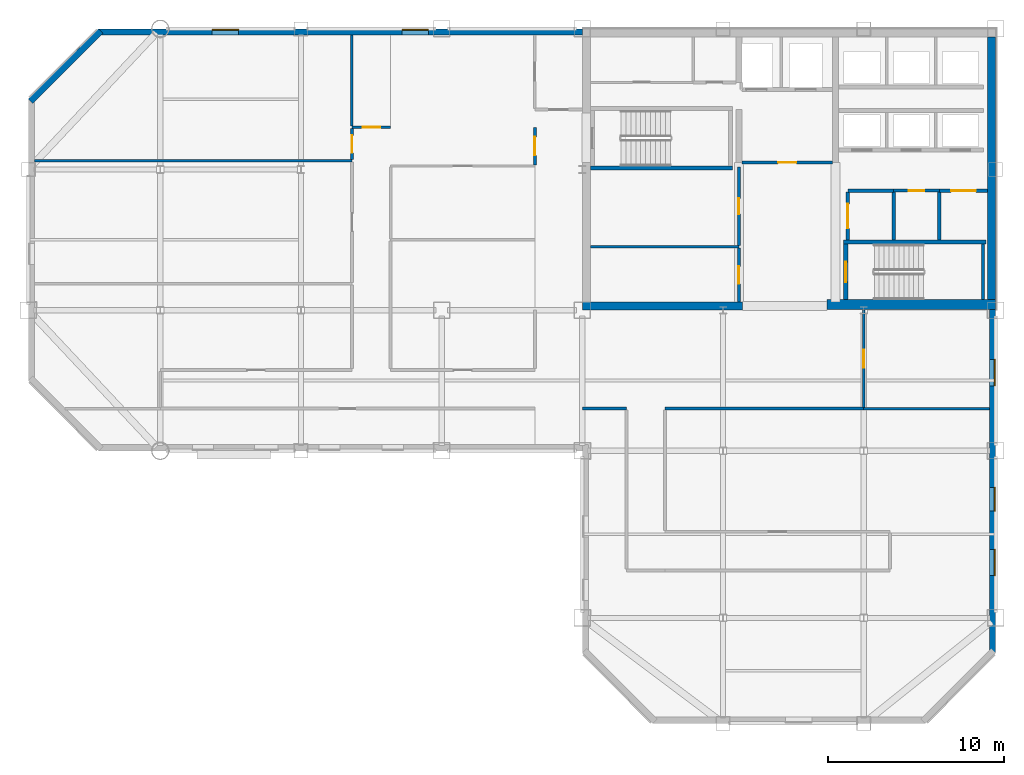
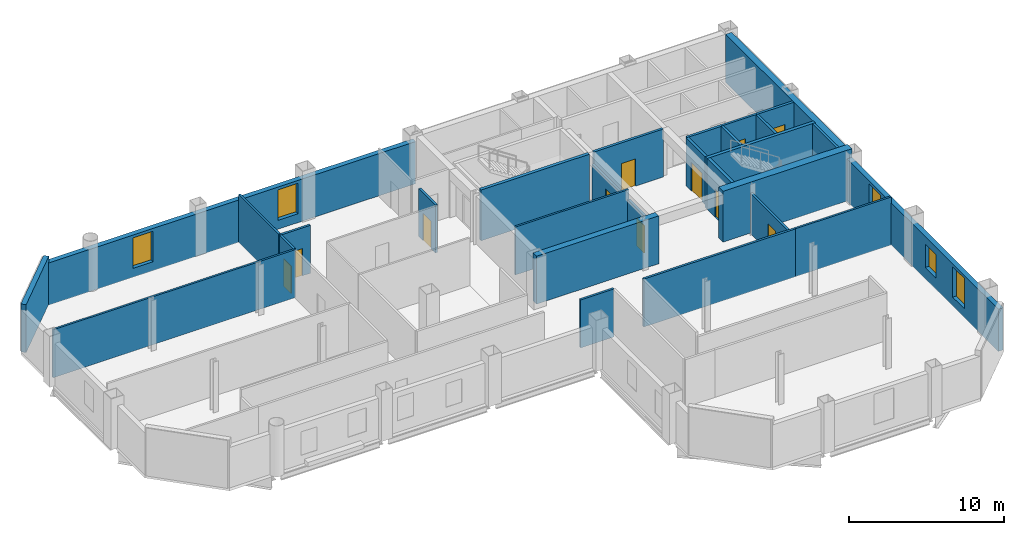
# One storey, part 5 of 10: 29 walls, 11 doors, 5 windows, 16 openings.
"""IFC4 building model written with IfcOpenShell, lengths in metres."""

from ifc_helpers import new_model, si_unit, direction, frame, frame_2d, origin, place, context, subcontext, project, spatial, rectangle, extrude, material, layer, layer_set, type_object, element, fill, save


model = new_model("IFC4")

# Units and contexts
model_context = context("Model", 3, precision=1e-05, world=origin(), true_north=direction((0.0, 1.0)))
body_context = subcontext(model_context, "Body", "Model", "MODEL_VIEW")
ifc_project = project(units=[si_unit("LENGTHUNIT", "METRE"), si_unit("AREAUNIT", "SQUARE_METRE"), si_unit("VOLUMEUNIT", "CUBIC_METRE"), si_unit("PLANEANGLEUNIT", "RADIAN"), si_unit("MASSUNIT", "GRAM", prefix="KILO")], contexts=[model_context])

# Site, building, storey
site_placement = place(None, origin())
site = spatial("IfcSite", under=ifc_project, at=site_placement, CompositionType="ELEMENT")
building_placement = place(site_placement, origin())
building = spatial("IfcBuilding", under=site, at=building_placement, Name="Qianrong Seaharbour Tower", CompositionType="ELEMENT")
storey_placement = place(building_placement, frame((0.0, 0.0, 257.800048828125)))
storey = spatial("IfcBuildingStorey", under=building, at=storey_placement, Name="L62", CompositionType="ELEMENT", Elevation=257.800048828125)

# Walls
ifc_material_1 = material(Name="Concrete C60/75", Category="concrete")
ifc_layer_1 = layer(ifc_material_1, 0.4599609375)
ifc_layer_set_1 = layer_set([ifc_layer_1], Name="Concrete C60/75")
wall_type_1 = type_object("IfcWallType", Name="WALL-CORE-460", PredefinedType="SHEAR", material=ifc_layer_set_1)
wall_1_placement = place(storey_placement, frame((63.77001953125, 36.320068359375, 0.0), z_axis=(0.0, 0.0, 1.0), x_axis=(0.0, 1.0, 0.0)))
element("IfcWall", 1, at=wall_1_placement, inside=storey, type_object=wall_type_1, Name="L62 East Core Shear Wall", PredefinedType="SHEAR", context=body_context, shape_type="SweptSolid", body=[
    extrude(rectangle(XDim=15.219970703125, YDim=0.4599609375, at=frame_2d((7.60986328125, 0.0))), origin(), (0.0, 0.0, 1.0), 3.77490234375),
])
wall_2_placement = place(storey_placement, frame((40.5, 36.22998046875, 0.0), z_axis=(0.0, 0.0, 1.0), x_axis=(1.0, 0.0, 0.0)))
element("IfcWall", 2, at=wall_2_placement, inside=storey, type_object=wall_type_1, Name="L62 South Core Shear Wall S1", PredefinedType="SHEAR", context=body_context, shape_type="SweptSolid", body=[
    extrude(rectangle(XDim=9.10009765625, YDim=0.4599609375, at=frame_2d((4.550048828125, 0.0))), origin(), (0.0, 0.0, 1.0), 3.77490234375),
])
ifc_material_2 = material(Name="Concrete C70/85", Category="concrete")
ifc_layer_2 = layer(ifc_material_2, 0.580078125)
ifc_layer_set_2 = layer_set([ifc_layer_2], Name="Concrete C70/85")
wall_type_2 = type_object("IfcWallType", Name="WALL-CORE-580", PredefinedType="SHEAR", material=ifc_layer_set_2)
wall_3_placement = place(storey_placement, frame((54.39990234375, 36.320068359375, 0.0), z_axis=(0.0, 0.0, 1.0), x_axis=(1.0, 0.0, 0.0)))
element("IfcWall", 3, at=wall_3_placement, inside=storey, type_object=wall_type_2, Name="L62 South Core Shear Wall S3", PredefinedType="SHEAR", context=body_context, shape_type="SweptSolid", body=[
    extrude(rectangle(XDim=9.60009765625, YDim=0.580078125, at=frame_2d((4.800048828125, 0.0))), origin(), (0.0, 0.0, 1.0), 4.0),
])

# Wall, opening, door
ifc_material_3 = material(Name="Fire-rated acoustic gypsum board partition")
ifc_layer_3 = layer(ifc_material_3, 0.1650390625)
ifc_layer_set_3 = layer_set([ifc_layer_3], Name="Fire-rated acoustic gypsum board partition")
wall_type_3 = type_object("IfcWallType", Name="WALL-CORR-PART-165", PredefinedType="PARTITIONING", material=ifc_layer_set_3)
wall_4_placement = place(storey_placement, frame((37.800048828125, 44.257080078125, 0.0), z_axis=(0.0, 0.0, 1.0), x_axis=(0.0, 1.0, 0.0)))
wall_4 = element("IfcWall", 4, at=wall_4_placement, inside=storey, type_object=wall_type_3, Name="L62 Interior Partition Wall 002", PredefinedType="PARTITIONING", context=body_context, shape_type="SweptSolid", body=[
    extrude(rectangle(XDim=2.142822265625, YDim=0.1650390625, at=frame_2d((1.0712890625, 0.0))), origin(), (0.0, 0.0, 1.0), 3.77490234375),
])
opening_1_placement = place(wall_4_placement, frame((0.54638671875, 0.0, 0.0)))
opening_1 = element("IfcOpeningElement", 5, at=opening_1_placement, cuts=wall_4, Name="Opening DC-01", PredefinedType="OPENING", context=body_context, shape_type="SweptSolid", body=[
    extrude(rectangle(XDim=1.050048828125, YDim=2.14990234375, at=frame_2d((0.52490234375, 1.074951171875))), frame((0.0, 0.092529296875, 0.0), z_axis=(0.0, -1.0, 0.0), x_axis=(1.0, 0.0, 0.0)), (0.0, 0.0, 1.0), 0.18505859375),
])
ifc_material_4 = material(Name="Acoustic timber and galvanized steel fire door assembly", Category="steel")
door_type_1 = type_object("IfcDoorType", Name="DOOR-CORR-FD60-1050x2150", OperationType="NOTDEFINED", PredefinedType="DOOR", material=ifc_material_4)
door_1_placement = place(opening_1_placement, origin())
door_1 = element("IfcDoor", 6, at=door_1_placement, inside=storey, type_object=door_type_1, Name="L62 Smokeproof Stair Vestibule ST-1 Door", OperationType="SINGLE_SWING_LEFT", OverallHeight=2.14990234375, OverallWidth=1.050048828125, PredefinedType="DOOR", context=body_context, shape_type="SweptSolid", body=[
    extrude(rectangle(XDim=1.050048828125, YDim=2.14990234375, at=frame_2d((0.52490234375, 1.074951171875))), frame((0.0, 0.02490234375, 0.0), z_axis=(0.0, -1.0, 0.0), x_axis=(1.0, 0.0, 0.0)), (0.0, 0.0, 1.0), 0.050048828125),
])
fill(opening_1, door_1)

wall_5_placement = place(storey_placement, frame((49.39990234375, 36.4599609375, 0.0), z_axis=(0.0, 0.0, 1.0), x_axis=(0.0, 1.0, 0.0)))
wall_5 = element("IfcWall", 7, at=wall_5_placement, inside=storey, type_object=wall_type_3, Name="L62 Interior Partition Wall 007", PredefinedType="PARTITIONING", context=body_context, shape_type="SweptSolid", body=[
    extrude(rectangle(XDim=3.075439453125, YDim=0.1650390625, at=frame_2d((1.53759765625, 0.0))), origin(), (0.0, 0.0, 1.0), 3.016845703125),
])
opening_2_placement = place(wall_5_placement, frame((1.03759765625, 0.0, 0.0)))
opening_2 = element("IfcOpeningElement", 8, at=opening_2_placement, cuts=wall_5, Name="Opening DO-01", PredefinedType="OPENING", context=body_context, shape_type="SweptSolid", body=[
    extrude(rectangle(XDim=1.0, YDim=2.14990234375, at=frame_2d((0.5, 1.074951171875))), frame((0.0, 0.092529296875, 0.0), z_axis=(0.0, -1.0, 0.0), x_axis=(1.0, 0.0, 0.0)), (0.0, 0.0, 1.0), 0.18505859375),
])
door_type_2 = type_object("IfcDoorType", Name="DOOR-OFFICE-1000x2150", OperationType="NOTDEFINED", PredefinedType="DOOR", material=ifc_material_4)
door_2_placement = place(opening_2_placement, origin())
door_2 = element("IfcDoor", 9, at=door_2_placement, inside=storey, type_object=door_type_2, Name="L62 Wellness Room Door", OperationType="SINGLE_SWING_RIGHT", OverallHeight=2.14990234375, OverallWidth=1.0, PredefinedType="DOOR", context=body_context, shape_type="SweptSolid", body=[
    extrude(rectangle(XDim=1.0, YDim=2.14990234375, at=frame_2d((0.5, 1.074951171875))), frame((0.0, 0.02490234375, 0.0), z_axis=(0.0, -1.0, 0.0), x_axis=(1.0, 0.0, 0.0)), (0.0, 0.0, 1.0), 0.050048828125),
])
fill(opening_2, door_2)

wall_6_placement = place(storey_placement, frame((49.39990234375, 39.66455078125, 0.0), z_axis=(0.0, 0.0, 1.0), x_axis=(0.0, 1.0, 0.0)))
wall_6 = element("IfcWall", 10, at=wall_6_placement, inside=storey, type_object=wall_type_3, Name="L62 Interior Partition Wall 008", PredefinedType="PARTITIONING", context=body_context, shape_type="SweptSolid", body=[
    extrude(rectangle(XDim=4.4853515625, YDim=0.1650390625, at=frame_2d((2.24267578125, 0.0))), origin(), (0.0, 0.0, 1.0), 3.016845703125),
])
opening_3_placement = place(wall_6_placement, frame((1.792724609375, 0.0, 0.0)))
opening_3 = element("IfcOpeningElement", 11, at=opening_3_placement, cuts=wall_6, Name="Opening DS-01", PredefinedType="OPENING", context=body_context, shape_type="SweptSolid", body=[
    extrude(rectangle(XDim=0.89990234375, YDim=2.14990234375, at=frame_2d((0.449951171875, 1.074951171875))), frame((0.0, 0.092529296875, 0.0), z_axis=(0.0, -1.0, 0.0), x_axis=(1.0, 0.0, 0.0)), (0.0, 0.0, 1.0), 0.18505859375),
])
door_type_3 = type_object("IfcDoorType", Name="DOOR-STORE-900x2150", OperationType="NOTDEFINED", PredefinedType="DOOR", material=ifc_material_4)
door_3_placement = place(opening_3_placement, origin())
door_3 = element("IfcDoor", 12, at=door_3_placement, inside=storey, type_object=door_type_3, Name="L62 Equipment Store Room Door", OperationType="SINGLE_SWING_LEFT", OverallHeight=2.14990234375, OverallWidth=0.89990234375, PredefinedType="DOOR", context=body_context, shape_type="SweptSolid", body=[
    extrude(rectangle(XDim=0.89990234375, YDim=2.14990234375, at=frame_2d((0.449951171875, 1.074951171875))), frame((0.0, 0.02490234375, 0.0), z_axis=(0.0, -1.0, 0.0), x_axis=(1.0, 0.0, 0.0)), (0.0, 0.0, 1.0), 0.050048828125),
])
fill(opening_3, door_3)

wall_7_placement = place(storey_placement, frame((60.800048828125, 42.800048828125, 0.0), z_axis=(0.0, 0.0, 1.0), x_axis=(-1.0, 0.0, 0.0)))
wall_7 = element("IfcWall", 13, at=wall_7_placement, inside=storey, type_object=wall_type_3, Name="L62 Interior Partition Wall 012", PredefinedType="PARTITIONING", context=body_context, shape_type="SweptSolid", body=[
    extrude(rectangle(XDim=2.60009765625, YDim=0.1650390625, at=frame_2d((1.300048828125, 0.0))), origin(), (0.0, 0.0, 1.0), 3.77490234375),
])
opening_4_placement = place(wall_7_placement, frame((0.85009765625, 0.0, 0.0)))
opening_4 = element("IfcOpeningElement", 14, at=opening_4_placement, cuts=wall_7, Name="Opening DS-01", PredefinedType="OPENING", context=body_context, shape_type="SweptSolid", body=[
    extrude(rectangle(XDim=0.89990234375, YDim=2.14990234375, at=frame_2d((0.449951171875, 1.074951171875))), frame((0.0, 0.092529296875, 0.0), z_axis=(0.0, -1.0, 0.0), x_axis=(1.0, 0.0, 0.0)), (0.0, 0.0, 1.0), 0.18505859375),
])
door_4_placement = place(opening_4_placement, origin())
door_4 = element("IfcDoor", 15, at=door_4_placement, inside=storey, type_object=door_type_3, Name="L62 Supply Store Room Door", OperationType="SINGLE_SWING_RIGHT", OverallHeight=2.14990234375, OverallWidth=0.89990234375, PredefinedType="DOOR", context=body_context, shape_type="SweptSolid", body=[
    extrude(rectangle(XDim=0.89990234375, YDim=2.14990234375, at=frame_2d((0.449951171875, 1.074951171875))), frame((0.0, 0.02490234375, 0.0), z_axis=(0.0, -1.0, 0.0), x_axis=(1.0, 0.0, 0.0)), (0.0, 0.0, 1.0), 0.050048828125),
])
fill(opening_4, door_4)

wall_8_placement = place(storey_placement, frame((27.39990234375, 44.564453125, 0.0), z_axis=(0.0, 0.0, 1.0), x_axis=(0.0, 1.0, 0.0)))
wall_8 = element("IfcWall", 16, at=wall_8_placement, inside=storey, type_object=wall_type_3, Name="L62 Interior Partition Wall 023", PredefinedType="PARTITIONING", context=body_context, shape_type="SweptSolid", body=[
    extrude(rectangle(XDim=1.760986328125, YDim=0.1650390625, at=frame_2d((0.88037109375, 0.0))), origin(), (0.0, 0.0, 1.0), 3.77490234375),
])
opening_5_placement = place(wall_8_placement, frame((0.380615234375, 0.0, 0.0)))
opening_5 = element("IfcOpeningElement", 17, at=opening_5_placement, cuts=wall_8, Name="Opening DO-01", PredefinedType="OPENING", context=body_context, shape_type="SweptSolid", body=[
    extrude(rectangle(XDim=1.0, YDim=2.14990234375, at=frame_2d((0.5, 1.074951171875))), frame((0.0, 0.092529296875, 0.0), z_axis=(0.0, -1.0, 0.0), x_axis=(1.0, 0.0, 0.0)), (0.0, 0.0, 1.0), 0.18505859375),
])
door_5_placement = place(opening_5_placement, origin())
door_5 = element("IfcDoor", 18, at=door_5_placement, inside=storey, type_object=door_type_2, Name="L62 Case Coordinator Office 3 Door", OperationType="SINGLE_SWING_LEFT", OverallHeight=2.14990234375, OverallWidth=1.0, PredefinedType="DOOR", context=body_context, shape_type="SweptSolid", body=[
    extrude(rectangle(XDim=1.0, YDim=2.14990234375, at=frame_2d((0.5, 1.074951171875))), frame((0.0, 0.02490234375, 0.0), z_axis=(0.0, -1.0, 0.0), x_axis=(1.0, 0.0, 0.0)), (0.0, 0.0, 1.0), 0.050048828125),
])
fill(opening_5, door_5)

wall_9_placement = place(storey_placement, frame((27.39990234375, 46.39990234375, 0.0), z_axis=(0.0, 0.0, 1.0), x_axis=(1.0, 0.0, 0.0)))
wall_9 = element("IfcWall", 19, at=wall_9_placement, inside=storey, type_object=wall_type_3, Name="L62 Interior Partition Wall 024", PredefinedType="PARTITIONING", context=body_context, shape_type="SweptSolid", body=[
    extrude(rectangle(XDim=2.2001953125, YDim=0.1650390625, at=frame_2d((1.10009765625, 0.0))), origin(), (0.0, 0.0, 1.0), 3.77490234375),
])
opening_6_placement = place(wall_9_placement, frame((0.60009765625, 0.0, 0.0)))
opening_6 = element("IfcOpeningElement", 20, at=opening_6_placement, cuts=wall_9, Name="Opening DO-01", PredefinedType="OPENING", context=body_context, shape_type="SweptSolid", body=[
    extrude(rectangle(XDim=1.0, YDim=2.14990234375, at=frame_2d((0.5, 1.074951171875))), frame((0.0, 0.092529296875, 0.0), z_axis=(0.0, -1.0, 0.0), x_axis=(1.0, 0.0, 0.0)), (0.0, 0.0, 1.0), 0.18505859375),
])
door_6_placement = place(opening_6_placement, origin())
door_6 = element("IfcDoor", 21, at=door_6_placement, inside=storey, type_object=door_type_2, Name="L62 Wellness Exercise Hall Door", OperationType="SINGLE_SWING_RIGHT", OverallHeight=2.14990234375, OverallWidth=1.0, PredefinedType="DOOR", context=body_context, shape_type="SweptSolid", body=[
    extrude(rectangle(XDim=1.0, YDim=2.14990234375, at=frame_2d((0.5, 1.074951171875))), frame((0.0, 0.02490234375, 0.0), z_axis=(0.0, -1.0, 0.0), x_axis=(1.0, 0.0, 0.0)), (0.0, 0.0, 1.0), 0.050048828125),
])
fill(opening_6, door_6)

# Walls
wall_10_placement = place(storey_placement, frame((43.0, 30.39990234375, 0.0), z_axis=(0.0, 0.0, 1.0), x_axis=(-1.0, 0.0, 0.0)))
element("IfcWall", 22, at=wall_10_placement, inside=storey, type_object=wall_type_3, Name="L62 Interior Partition Wall 028", PredefinedType="PARTITIONING", context=body_context, shape_type="SweptSolid", body=[
    extrude(rectangle(XDim=2.5, YDim=0.1650390625, at=frame_2d((1.25, 0.0))), origin(), (0.0, 0.0, 1.0), 3.77490234375),
])
wall_11_placement = place(storey_placement, frame((56.5, 30.39990234375, 0.0), z_axis=(0.0, 0.0, 1.0), x_axis=(-1.0, 0.0, 0.0)))
element("IfcWall", 23, at=wall_11_placement, inside=storey, type_object=wall_type_3, Name="L62 Interior Partition Wall 029", PredefinedType="PARTITIONING", context=body_context, shape_type="SweptSolid", body=[
    extrude(rectangle(XDim=11.300048828125, YDim=0.1650390625, at=frame_2d((5.64990234375, 0.0))), origin(), (0.0, 0.0, 1.0), 3.77490234375),
])

# Wall, opening, door
wall_12_placement = place(storey_placement, frame((56.5, 36.0, 0.0), z_axis=(0.0, 0.0, 1.0), x_axis=(0.0, -1.0, 0.0)))
wall_12 = element("IfcWall", 24, at=wall_12_placement, inside=storey, type_object=wall_type_3, Name="L62 Interior Partition Wall 030", PredefinedType="PARTITIONING", context=body_context, shape_type="SweptSolid", body=[
    extrude(rectangle(XDim=5.525390625, YDim=0.1650390625, at=frame_2d((2.7626953125, 0.0))), origin(), (0.0, 0.0, 1.0), 3.178955078125),
])
opening_7_placement = place(wall_12_placement, frame((2.2626953125, 0.0, 0.0)))
opening_7 = element("IfcOpeningElement", 25, at=opening_7_placement, cuts=wall_12, Name="Opening DO-01", PredefinedType="OPENING", context=body_context, shape_type="SweptSolid", body=[
    extrude(rectangle(XDim=1.0, YDim=2.14990234375, at=frame_2d((0.5, 1.074951171875))), frame((0.0, 0.092529296875, 0.0), z_axis=(0.0, -1.0, 0.0), x_axis=(1.0, 0.0, 0.0)), (0.0, 0.0, 1.0), 0.18505859375),
])
door_7_placement = place(opening_7_placement, origin())
door_7 = element("IfcDoor", 26, at=door_7_placement, inside=storey, type_object=door_type_2, Name="L62 Health Director Office 2 Door", OperationType="SINGLE_SWING_RIGHT", OverallHeight=2.14990234375, OverallWidth=1.0, PredefinedType="DOOR", context=body_context, shape_type="SweptSolid", body=[
    extrude(rectangle(XDim=1.0, YDim=2.14990234375, at=frame_2d((0.5, 1.074951171875))), frame((0.0, 0.02490234375, 0.0), z_axis=(0.0, -1.0, 0.0), x_axis=(1.0, 0.0, 0.0)), (0.0, 0.0, 1.0), 0.050048828125),
])
fill(opening_7, door_7)

# Wall
ifc_material_5 = material(Name="Unitised red brick on Precast concrete C45/55", Category="masonry")
ifc_layer_4 = layer(ifc_material_5, 0.360107421875)
ifc_layer_set_4 = layer_set([ifc_layer_4], Name="Unitised red brick on Precast concrete C45/55")
wall_type_4 = type_object("IfcWallType", Name="WALL-EXT-BRICK-RED-360", PredefinedType="SOLIDWALL", material=ifc_layer_set_4)
wall_13_placement = place(storey_placement, frame((9.127197265625, 47.872802734375, 0.0), z_axis=(0.0, 0.0, 1.0), x_axis=(0.707106781187, 0.707106781187, 0.0)))
element("IfcWall", 27, at=wall_13_placement, inside=storey, type_object=wall_type_4, Name="L62 Exterior Masonry Facade Wall E04", PredefinedType="SOLIDWALL", context=body_context, shape_type="SweptSolid", body=[
    extrude(rectangle(XDim=5.65673828125, YDim=0.360107421875, at=frame_2d((2.828369140625, 0.0))), origin(), (0.0, 0.0, 1.0), 3.77490234375),
])

# Wall, openings, windows
wall_14_placement = place(storey_placement, frame((13.0, 51.820068359375, 0.0), z_axis=(0.0, 0.0, 1.0), x_axis=(1.0, 0.0, 0.0)))
wall_14 = element("IfcWall", 28, at=wall_14_placement, inside=storey, type_object=wall_type_4, Name="L62 Exterior Masonry Facade Wall NORTH_WING", PredefinedType="SOLIDWALL", context=body_context, shape_type="SweptSolid", body=[
    extrude(rectangle(XDim=27.52001953125, YDim=0.360107421875, at=frame_2d((13.760009765625, 0.0))), origin(), (0.0, 0.0, 1.0), 3.324951171875),
])
opening_8_placement = place(wall_14_placement, frame((6.449951171875, 0.0, 0.699951171875)))
opening_8 = element("IfcOpeningElement", 29, at=opening_8_placement, cuts=wall_14, Name="Opening WN-08", PredefinedType="OPENING", context=body_context, shape_type="SweptSolid", body=[
    extrude(rectangle(XDim=1.5, YDim=2.39990234375, at=frame_2d((0.75, 1.199951171875))), frame((0.0, 0.18994140625, 0.0), z_axis=(0.0, -1.0, 0.0), x_axis=(1.0, 0.0, 0.0)), (0.0, 0.0, 1.0), 0.380126953125),
])
opening_9_placement = place(wall_14_placement, frame((17.25, 0.0, 0.699951171875)))
opening_9 = element("IfcOpeningElement", 30, at=opening_9_placement, cuts=wall_14, Name="Opening WN-08", PredefinedType="OPENING", context=body_context, shape_type="SweptSolid", body=[
    extrude(rectangle(XDim=1.5, YDim=2.39990234375, at=frame_2d((0.75, 1.199951171875))), frame((0.0, 0.18994140625, 0.0), z_axis=(0.0, -1.0, 0.0), x_axis=(1.0, 0.0, 0.0)), (0.0, 0.0, 1.0), 0.380126953125),
])
ifc_material_6 = material(Name="Insulated low-e double glazing in thermally broken aluminium 6063-T6 frame", Category="aluminium")
window_type_1 = type_object("IfcWindowType", Name="WIN-PUNCH-1500x2400", PartitioningType="DOUBLE_PANEL_HORIZONTAL", PredefinedType="WINDOW", material=ifc_material_6)
window_1_placement = place(opening_8_placement, origin())
window_1 = element("IfcWindow", 31, at=window_1_placement, inside=storey, type_object=window_type_1, Name="L62 Deep-Set Punched Window 05.02", OverallHeight=2.39990234375, OverallWidth=1.5, PartitioningType="DOUBLE_PANEL_HORIZONTAL", PredefinedType="WINDOW", context=body_context, shape_type="SweptSolid", body=[
    extrude(rectangle(XDim=1.5, YDim=2.39990234375, at=frame_2d((0.75, 1.199951171875))), frame((0.0, 0.150146484375, 0.0), z_axis=(0.0, -1.0, 0.0), x_axis=(1.0, 0.0, 0.0)), (0.0, 0.0, 1.0), 0.06005859375),
])
fill(opening_8, window_1)
window_2_placement = place(opening_9_placement, origin())
window_2 = element("IfcWindow", 32, at=window_2_placement, inside=storey, type_object=window_type_1, Name="L62 Deep-Set Punched Window 05.05", OverallHeight=2.39990234375, OverallWidth=1.5, PartitioningType="DOUBLE_PANEL_HORIZONTAL", PredefinedType="WINDOW", context=body_context, shape_type="SweptSolid", body=[
    extrude(rectangle(XDim=1.5, YDim=2.39990234375, at=frame_2d((0.75, 1.199951171875))), frame((0.0, 0.150146484375, 0.0), z_axis=(0.0, -1.0, 0.0), x_axis=(1.0, 0.0, 0.0)), (0.0, 0.0, 1.0), 0.06005859375),
])
fill(opening_9, window_2)

wall_15_placement = place(storey_placement, frame((63.820068359375, 36.050048828125, 0.0), z_axis=(0.0, 0.0, 1.0), x_axis=(0.0, -1.0, 0.0)))
wall_15 = element("IfcWall", 33, at=wall_15_placement, inside=storey, type_object=wall_type_4, Name="L62 Exterior Masonry Facade Wall EAST_WING", PredefinedType="SOLIDWALL", context=body_context, shape_type="SweptSolid", body=[
    extrude(rectangle(XDim=19.550048828125, YDim=0.360107421875, at=frame_2d((9.77490234375, 0.0))), origin(), (0.0, 0.0, 1.0), 3.324951171875),
])
opening_10_placement = place(wall_15_placement, frame((2.85009765625, 0.0, 0.699951171875)))
opening_10 = element("IfcOpeningElement", 34, at=opening_10_placement, cuts=wall_15, Name="Opening WN-08", PredefinedType="OPENING", context=body_context, shape_type="SweptSolid", body=[
    extrude(rectangle(XDim=1.5, YDim=2.39990234375, at=frame_2d((0.75, 1.199951171875))), frame((0.0, 0.18994140625, 0.0), z_axis=(0.0, -1.0, 0.0), x_axis=(1.0, 0.0, 0.0)), (0.0, 0.0, 1.0), 0.380126953125),
])
opening_11_placement = place(wall_15_placement, frame((10.125, 0.0, 0.89990234375)))
opening_11 = element("IfcOpeningElement", 35, at=opening_11_placement, cuts=wall_15, Name="Opening WN-02", PredefinedType="OPENING", context=body_context, shape_type="SweptSolid", body=[
    extrude(rectangle(XDim=1.35009765625, YDim=1.85009765625, at=frame_2d((0.675048828125, 0.925048828125))), frame((0.0, 0.18994140625, 0.0), z_axis=(0.0, -1.0, 0.0), x_axis=(1.0, 0.0, 0.0)), (0.0, 0.0, 1.0), 0.380126953125),
])
opening_12_placement = place(wall_15_placement, frame((13.64990234375, 0.0, 0.699951171875)))
opening_12 = element("IfcOpeningElement", 36, at=opening_12_placement, cuts=wall_15, Name="Opening WN-08", PredefinedType="OPENING", context=body_context, shape_type="SweptSolid", body=[
    extrude(rectangle(XDim=1.5, YDim=2.39990234375, at=frame_2d((0.75, 1.199951171875))), frame((0.0, 0.18994140625, 0.0), z_axis=(0.0, -1.0, 0.0), x_axis=(1.0, 0.0, 0.0)), (0.0, 0.0, 1.0), 0.380126953125),
])
window_type_2 = type_object("IfcWindowType", Name="WIN-PUNCH-1350x1850", PartitioningType="DOUBLE_PANEL_VERTICAL", PredefinedType="WINDOW", material=ifc_material_6)
window_3_placement = place(opening_11_placement, origin())
window_3 = element("IfcWindow", 37, at=window_3_placement, inside=storey, type_object=window_type_2, Name="L62 Deep-Set Punched Window 06.03", OverallHeight=1.85009765625, OverallWidth=1.35009765625, PartitioningType="DOUBLE_PANEL_VERTICAL", PredefinedType="WINDOW", context=body_context, shape_type="SweptSolid", body=[
    extrude(rectangle(XDim=1.35009765625, YDim=1.85009765625, at=frame_2d((0.675048828125, 0.925048828125))), frame((0.0, 0.150146484375, 0.0), z_axis=(0.0, -1.0, 0.0), x_axis=(1.0, 0.0, 0.0)), (0.0, 0.0, 1.0), 0.06005859375),
])
fill(opening_11, window_3)
window_4_placement = place(opening_10_placement, origin())
window_4 = element("IfcWindow", 38, at=window_4_placement, inside=storey, type_object=window_type_1, Name="L62 Deep-Set Punched Window 06.01", OverallHeight=2.39990234375, OverallWidth=1.5, PartitioningType="DOUBLE_PANEL_HORIZONTAL", PredefinedType="WINDOW", context=body_context, shape_type="SweptSolid", body=[
    extrude(rectangle(XDim=1.5, YDim=2.39990234375, at=frame_2d((0.75, 1.199951171875))), frame((0.0, 0.150146484375, 0.0), z_axis=(0.0, -1.0, 0.0), x_axis=(1.0, 0.0, 0.0)), (0.0, 0.0, 1.0), 0.06005859375),
])
fill(opening_10, window_4)
window_5_placement = place(opening_12_placement, origin())
window_5 = element("IfcWindow", 39, at=window_5_placement, inside=storey, type_object=window_type_1, Name="L62 Deep-Set Punched Window 06.04", OverallHeight=2.39990234375, OverallWidth=1.5, PartitioningType="DOUBLE_PANEL_HORIZONTAL", PredefinedType="WINDOW", context=body_context, shape_type="SweptSolid", body=[
    extrude(rectangle(XDim=1.5, YDim=2.39990234375, at=frame_2d((0.75, 1.199951171875))), frame((0.0, 0.150146484375, 0.0), z_axis=(0.0, -1.0, 0.0), x_axis=(1.0, 0.0, 0.0)), (0.0, 0.0, 1.0), 0.06005859375),
])
fill(opening_12, window_5)

# Wall, opening, door
ifc_material_7 = material(Name="Double fire-rated gypsum board acoustic partition")
ifc_layer_5 = layer(ifc_material_7, 0.18994140625)
ifc_layer_set_5 = layer_set([ifc_layer_5], Name="Double fire-rated gypsum board acoustic partition")
wall_type_5 = type_object("IfcWallType", Name="WALL-FIRE-PART-190", PredefinedType="PARTITIONING", material=ifc_layer_set_5)
wall_16_placement = place(storey_placement, frame((54.73291015625, 44.39990234375, 0.0), z_axis=(0.0, 0.0, 1.0), x_axis=(-1.0, 0.0, 0.0)))
wall_16 = element("IfcWall", 40, at=wall_16_placement, inside=storey, type_object=wall_type_5, Name="L62 Interior Partition Wall 006", PredefinedType="PARTITIONING", context=body_context, shape_type="SweptSolid", body=[
    extrude(rectangle(XDim=5.166015625, YDim=0.18994140625, at=frame_2d((2.5830078125, 0.0))), origin(), (0.0, 0.0, 1.0), 3.77490234375),
])
opening_13_placement = place(wall_16_placement, frame((2.05810546875, 0.0, 0.0)))
opening_13 = element("IfcOpeningElement", 41, at=opening_13_placement, cuts=wall_16, Name="Opening DC-01", PredefinedType="OPENING", context=body_context, shape_type="SweptSolid", body=[
    extrude(rectangle(XDim=1.050048828125, YDim=2.14990234375, at=frame_2d((0.52490234375, 1.074951171875))), frame((0.0, 0.10498046875, 0.0), z_axis=(0.0, -1.0, 0.0), x_axis=(1.0, 0.0, 0.0)), (0.0, 0.0, 1.0), 0.2099609375),
])
door_8_placement = place(opening_13_placement, origin())
door_8 = element("IfcDoor", 42, at=door_8_placement, inside=storey, type_object=door_type_1, Name="L62 Firefighting Lift Lobby Door", OperationType="SINGLE_SWING_LEFT", OverallHeight=2.14990234375, OverallWidth=1.050048828125, PredefinedType="DOOR", context=body_context, shape_type="SweptSolid", body=[
    extrude(rectangle(XDim=1.050048828125, YDim=2.14990234375, at=frame_2d((0.52490234375, 1.074951171875))), frame((0.0, 0.02490234375, 0.0), z_axis=(0.0, -1.0, 0.0), x_axis=(1.0, 0.0, 0.0)), (0.0, 0.0, 1.0), 0.050048828125),
])
fill(opening_13, door_8)

wall_17_placement = place(storey_placement, frame((55.60009765625, 42.712890625, 0.0), z_axis=(0.0, 0.0, 1.0), x_axis=(0.0, -1.0, 0.0)))
wall_17 = element("IfcWall", 43, at=wall_17_placement, inside=storey, type_object=wall_type_5, Name="L62 Interior Partition Wall 009", PredefinedType="PARTITIONING", context=body_context, shape_type="SweptSolid", body=[
    extrude(rectangle(XDim=2.73095703125, YDim=0.18994140625, at=frame_2d((1.365478515625, 0.0))), origin(), (0.0, 0.0, 1.0), 3.77490234375),
])
opening_14_placement = place(wall_17_placement, frame((0.66552734375, 0.0, 0.0)))
opening_14 = element("IfcOpeningElement", 44, at=opening_14_placement, cuts=wall_17, Name="Opening DP-01", PredefinedType="OPENING", context=body_context, shape_type="SweptSolid", body=[
    extrude(rectangle(XDim=1.39990234375, YDim=2.25, at=frame_2d((0.699951171875, 1.125))), frame((0.0, 0.10498046875, 0.0), z_axis=(0.0, -1.0, 0.0), x_axis=(1.0, 0.0, 0.0)), (0.0, 0.0, 1.0), 0.2099609375),
])
door_type_4 = type_object("IfcDoorType", Name="DOOR-PLANT-PAIR-1400x2250", OperationType="DOUBLE_DOOR_SINGLE_SWING", PredefinedType="DOOR", material=ifc_material_4)
door_9_placement = place(opening_14_placement, origin())
door_9 = element("IfcDoor", 45, at=door_9_placement, inside=storey, type_object=door_type_4, Name="L62 Core Telecom Room Door", OperationType="DOUBLE_DOOR_SINGLE_SWING", OverallHeight=2.25, OverallWidth=1.39990234375, PredefinedType="DOOR", context=body_context, shape_type="SweptSolid", body=[
    extrude(rectangle(XDim=1.39990234375, YDim=2.25, at=frame_2d((0.699951171875, 1.125))), frame((0.0, 0.02490234375, 0.0), z_axis=(0.0, -1.0, 0.0), x_axis=(1.0, 0.0, 0.0)), (0.0, 0.0, 1.0), 0.050048828125),
])
fill(opening_14, door_9)

# Wall
wall_18_placement = place(storey_placement, frame((58.199951171875, 42.800048828125, 0.0), z_axis=(0.0, 0.0, 1.0), x_axis=(-1.0, 0.0, 0.0)))
element("IfcWall", 46, at=wall_18_placement, inside=storey, type_object=wall_type_5, Name="L62 Interior Partition Wall 011", PredefinedType="PARTITIONING", context=body_context, shape_type="SweptSolid", body=[
    extrude(rectangle(XDim=2.599853515625, YDim=0.18994140625, at=frame_2d((1.2998046875, 0.0))), origin(), (0.0, 0.0, 1.0), 3.77490234375),
])

# Wall, opening, door
wall_19_placement = place(storey_placement, frame((63.5400390625, 42.800048828125, 0.0), z_axis=(0.0, 0.0, 1.0), x_axis=(-1.0, 0.0, 0.0)))
wall_19 = element("IfcWall", 47, at=wall_19_placement, inside=storey, type_object=wall_type_5, Name="L62 Interior Partition Wall 013", PredefinedType="PARTITIONING", context=body_context, shape_type="SweptSolid", body=[
    extrude(rectangle(XDim=2.739990234375, YDim=0.18994140625, at=frame_2d((1.3701171875, 0.0))), origin(), (0.0, 0.0, 1.0), 3.77490234375),
])
opening_15_placement = place(wall_19_placement, frame((0.669921875, 0.0, 0.0)))
opening_15 = element("IfcOpeningElement", 48, at=opening_15_placement, cuts=wall_19, Name="Opening DP-01", PredefinedType="OPENING", context=body_context, shape_type="SweptSolid", body=[
    extrude(rectangle(XDim=1.39990234375, YDim=2.25, at=frame_2d((0.699951171875, 1.125))), frame((0.0, 0.10498046875, 0.0), z_axis=(0.0, -1.0, 0.0), x_axis=(1.0, 0.0, 0.0)), (0.0, 0.0, 1.0), 0.2099609375),
])
door_10_placement = place(opening_15_placement, origin())
door_10 = element("IfcDoor", 49, at=door_10_placement, inside=storey, type_object=door_type_4, Name="L62 Building Metering Room Door", OperationType="DOUBLE_DOOR_SINGLE_SWING", OverallHeight=2.25, OverallWidth=1.39990234375, PredefinedType="DOOR", context=body_context, shape_type="SweptSolid", body=[
    extrude(rectangle(XDim=1.39990234375, YDim=2.25, at=frame_2d((0.699951171875, 1.125))), frame((0.0, 0.02490234375, 0.0), z_axis=(0.0, -1.0, 0.0), x_axis=(1.0, 0.0, 0.0)), (0.0, 0.0, 1.0), 0.050048828125),
])
fill(opening_15, door_10)

# Walls
for number, where, z_axis, x_axis, name in (
    (50, (58.199951171875, 42.712890625, 0.0), (0.0, 0.0, 1.0), (0.0, -1.0, 0.0), "L62 Interior Partition Wall 015"),
    (51, (60.800048828125, 42.712890625, 0.0), (0.0, 0.0, 1.0), (0.0, -1.0, 0.0), "L62 Interior Partition Wall 016"),
):
    element("IfcWall", number, at=place(storey_placement, frame(where, z_axis=z_axis, x_axis=x_axis)), inside=storey, type_object=wall_type_5, Name=name, PredefinedType="PARTITIONING", context=body_context, shape_type="SweptSolid", body=[
        extrude(rectangle(XDim=2.73095703125, YDim=0.18994140625, at=frame_2d((1.365478515625, 0.0))), origin(), (0.0, 0.0, 1.0), 3.77490234375),
    ])
ifc_material_8 = material(Name="Acoustic gypsum board stud partition")
ifc_layer_6 = layer(ifc_material_8, 0.14501953125)
ifc_layer_set_6 = layer_set([ifc_layer_6], Name="Acoustic gypsum board stud partition")
wall_type_6 = type_object("IfcWallType", Name="WALL-OFFICE-PART-145", PredefinedType="PARTITIONING", material=ifc_layer_set_6)
wall_20_placement = place(storey_placement, frame((40.9599609375, 39.60009765625, 0.0), z_axis=(0.0, 0.0, 1.0), x_axis=(1.0, 0.0, 0.0)))
element("IfcWall", 52, at=wall_20_placement, inside=storey, type_object=wall_type_6, Name="L62 Interior Partition Wall 010", PredefinedType="PARTITIONING", context=body_context, shape_type="SweptSolid", body=[
    extrude(rectangle(XDim=8.43994140625, YDim=0.14501953125, at=frame_2d((4.219970703125, 0.0))), origin(), (0.0, 0.0, 1.0), 3.77490234375),
])
wall_21_placement = place(storey_placement, frame((56.5, 30.39990234375, 0.0), z_axis=(0.0, 0.0, 1.0), x_axis=(1.0, 0.0, 0.0)))
element("IfcWall", 53, at=wall_21_placement, inside=storey, type_object=wall_type_6, Name="L62 Interior Partition Wall 038", PredefinedType="PARTITIONING", context=body_context, shape_type="SweptSolid", body=[
    extrude(rectangle(XDim=7.14794921875, YDim=0.14501953125, at=frame_2d((3.573974609375, 0.0))), origin(), (0.0, 0.0, 1.0), 3.77490234375),
])
wall_22_placement = place(storey_placement, frame((9.35205078125, 44.5, 0.0), z_axis=(0.0, 0.0, 1.0), x_axis=(1.0, 0.0, 0.0)))
element("IfcWall", 54, at=wall_22_placement, inside=storey, type_object=wall_type_6, Name="L62 Interior Partition Wall 041", PredefinedType="PARTITIONING", context=body_context, shape_type="SweptSolid", body=[
    extrude(rectangle(XDim=18.0478515625, YDim=0.14501953125, at=frame_2d((9.02392578125, 0.0))), origin(), (0.0, 0.0, 1.0), 3.77490234375),
])
wall_23_placement = place(storey_placement, frame((27.39990234375, 51.64794921875, 0.0), z_axis=(0.0, 0.0, 1.0), x_axis=(0.0, -1.0, 0.0)))
element("IfcWall", 55, at=wall_23_placement, inside=storey, type_object=wall_type_6, Name="L62 Interior Partition Wall 042", PredefinedType="PARTITIONING", context=body_context, shape_type="SweptSolid", body=[
    extrude(rectangle(XDim=5.17333984375, YDim=0.14501953125, at=frame_2d((2.586669921875, 0.0))), origin(), (0.0, 0.0, 1.0), 3.77490234375),
])
ifc_material_9 = material(Name="Concrete C50/60", Category="concrete")
ifc_layer_7 = layer(ifc_material_9, 0.239990234375)
ifc_layer_set_7 = layer_set([ifc_layer_7], Name="Concrete C50/60")
wall_type_7 = type_object("IfcWallType", Name="WALL-SHAFT-RC240", PredefinedType="SOLIDWALL", material=ifc_layer_set_7)
wall_24_placement = place(storey_placement, frame((49.0400390625, 44.080078125, 0.0), z_axis=(0.0, 0.0, 1.0), x_axis=(-1.0, 0.0, 0.0)))
element("IfcWall", 56, at=wall_24_placement, inside=storey, type_object=wall_type_7, Name="L62 ST-1 Structural Stair Core Wall S", PredefinedType="SOLIDWALL", context=body_context, shape_type="SweptSolid", body=[
    extrude(rectangle(XDim=8.080078125, YDim=0.239990234375, at=frame_2d((4.0400390625, 0.0))), origin(), (0.0, 0.0, 1.0), 4.0),
])
wall_25_placement = place(storey_placement, frame((55.360107421875, 39.8701171875, 0.0), z_axis=(0.0, 0.0, 1.0), x_axis=(1.0, 0.0, 0.0)))
element("IfcWall", 57, at=wall_25_placement, inside=storey, type_object=wall_type_7, Name="L62 ST-2 Structural Stair Core Wall N", PredefinedType="SOLIDWALL", context=body_context, shape_type="SweptSolid", body=[
    extrude(rectangle(XDim=8.079833984375, YDim=0.239990234375, at=frame_2d((4.0400390625, 0.0))), origin(), (0.0, 0.0, 1.0), 4.0),
])

# Wall, opening, door
wall_26_placement = place(storey_placement, frame((55.47998046875, 39.75, 0.0), z_axis=(0.0, 0.0, 1.0), x_axis=(0.0, -1.0, 0.0)))
wall_26 = element("IfcWall", 58, at=wall_26_placement, inside=storey, type_object=wall_type_7, Name="L62 ST-2 Structural Stair Core Wall W", PredefinedType="SOLIDWALL", context=body_context, shape_type="SweptSolid", body=[
    extrude(rectangle(XDim=3.14990234375, YDim=0.239990234375, at=frame_2d((1.574951171875, 0.0))), origin(), (0.0, 0.0, 1.0), 4.0),
])
opening_16_placement = place(wall_26_placement, frame((1.0, 0.0, 0.0)))
opening_16 = element("IfcOpeningElement", 59, at=opening_16_placement, cuts=wall_26, Name="Opening SD-01", PredefinedType="OPENING", context=body_context, shape_type="SweptSolid", body=[
    extrude(rectangle(XDim=1.14990234375, YDim=2.199951171875, at=frame_2d((0.574951171875, 1.10009765625))), frame((0.0, 0.1298828125, 0.0), z_axis=(0.0, -1.0, 0.0), x_axis=(1.0, 0.0, 0.0)), (0.0, 0.0, 1.0), 0.260009765625),
])
door_type_5 = type_object("IfcDoorType", Name="DOOR-STAIR-FD60-1150x2200", OperationType="NOTDEFINED", PredefinedType="DOOR", material=ifc_material_4)
door_11_placement = place(opening_16_placement, origin())
door_11 = element("IfcDoor", 60, at=door_11_placement, inside=storey, type_object=door_type_5, Name="L62 ST-2 Protected Stair Door", OperationType="SINGLE_SWING_LEFT", OverallHeight=2.199951171875, OverallWidth=1.14990234375, PredefinedType="DOOR", context=body_context, shape_type="SweptSolid", body=[
    extrude(rectangle(XDim=1.14990234375, YDim=2.199951171875, at=frame_2d((0.574951171875, 1.10009765625))), frame((0.0, 0.02490234375, 0.0), z_axis=(0.0, -1.0, 0.0), x_axis=(1.0, 0.0, 0.0)), (0.0, 0.0, 1.0), 0.050048828125),
])
fill(opening_16, door_11)

# Wall
wall_27_placement = place(storey_placement, frame((63.2900390625, 36.60009765625, 0.0), z_axis=(0.0, 0.0, 1.0), x_axis=(0.0, 1.0, 0.0)))
element("IfcWall", 61, at=wall_27_placement, inside=storey, type_object=wall_type_7, Name="L62 ST-2 Structural Stair Core Wall E", PredefinedType="SOLIDWALL", context=body_context, shape_type="SweptSolid", body=[
    extrude(rectangle(XDim=3.14990234375, YDim=0.179931640625, at=frame_2d((1.574951171875, 0.0))), origin(), (0.0, 0.0, 1.0), 4.0),
])

save(model, "model.ifc")
